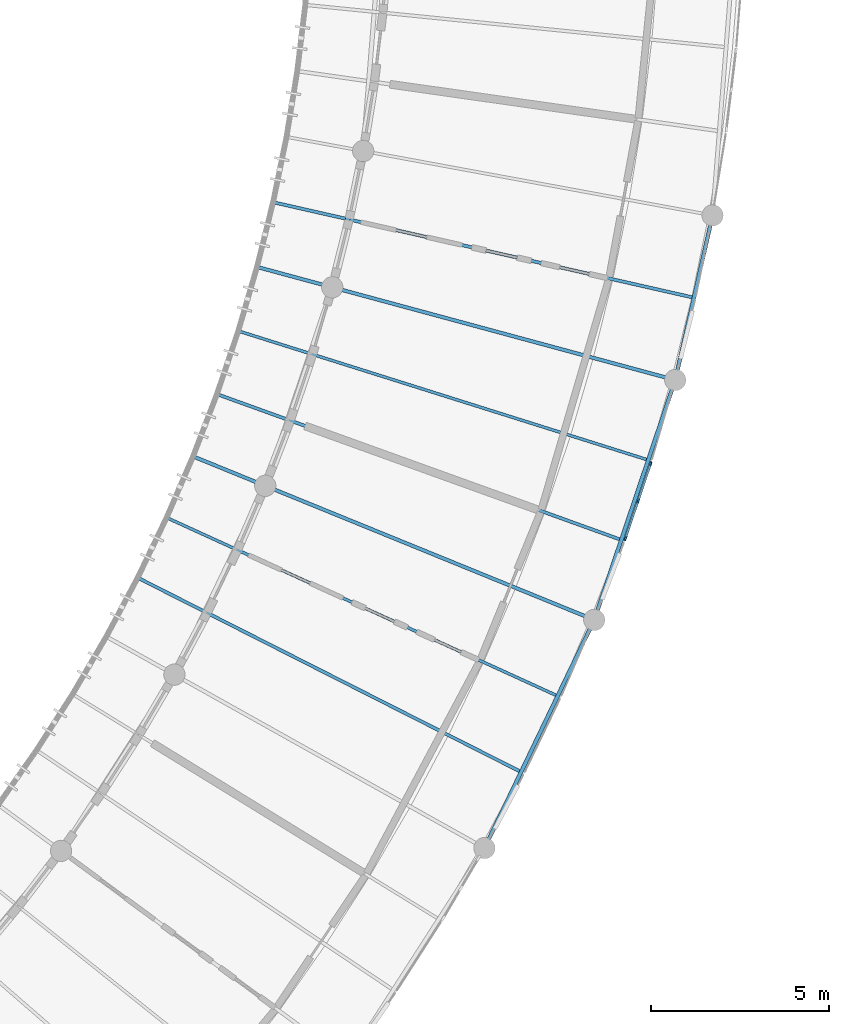
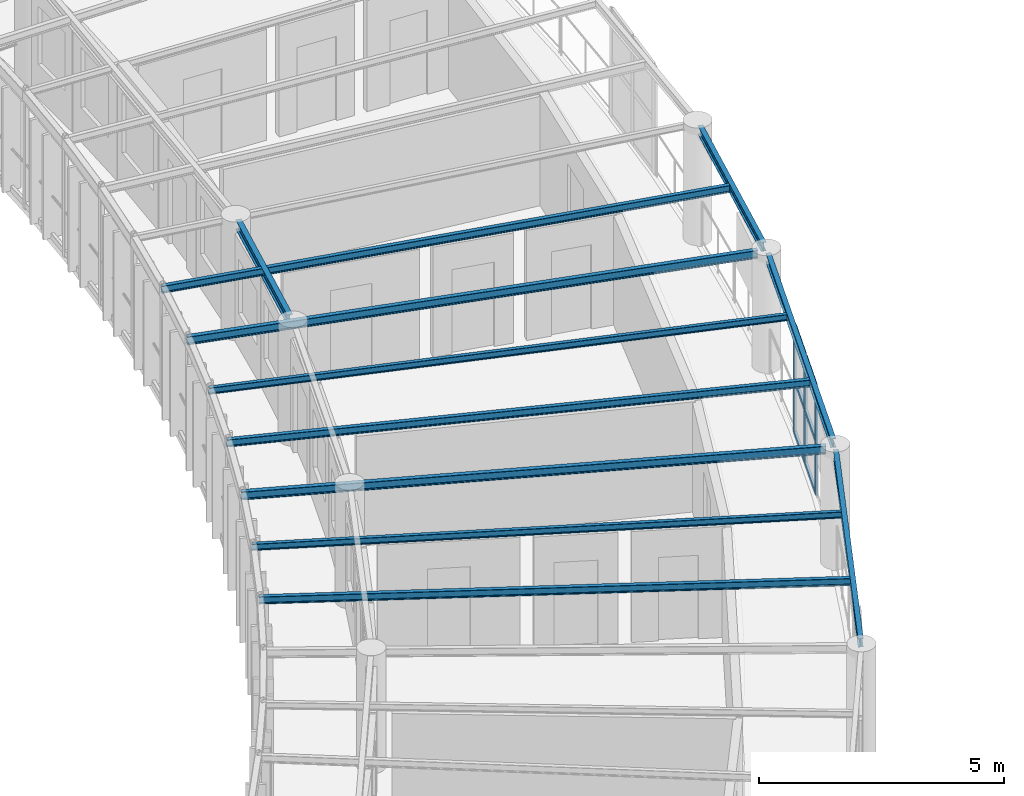
# One storey, part 16 of 100: 11 beams, 9 members, 1 element without a shape of its own.
"""IFC4 building model written with IfcOpenShell, lengths in metres."""

from ifc_helpers import new_model, si_unit, direction, frame, origin, origin_2d, place, context, subcontext, project, spatial, rectangle, i_section, extrude, material, layer, layer_set, material_profile, profile_set, type_object, element, aggregate, save


model = new_model("IFC4")

# Units and contexts
model_context = context("Model", 3, precision=1e-05, world=origin(), true_north=direction((0.0, 1.0)))
body_context = subcontext(model_context, "Body", "Model", "MODEL_VIEW")
ifc_project = project(units=[si_unit("LENGTHUNIT", "METRE"), si_unit("AREAUNIT", "SQUARE_METRE"), si_unit("VOLUMEUNIT", "CUBIC_METRE"), si_unit("PLANEANGLEUNIT", "RADIAN"), si_unit("MASSUNIT", "GRAM", prefix="KILO"), si_unit("POWERUNIT", "WATT"), si_unit("THERMODYNAMICTEMPERATUREUNIT", "KELVIN")], contexts=[model_context])

# Site, building, storey
site_placement = place(None, origin())
site = spatial("IfcSite", under=ifc_project, at=site_placement, CompositionType="ELEMENT")
building_placement = place(site_placement, origin())
building = spatial("IfcBuilding", under=site, at=building_placement, Name="Ruvembo Vaulted Housing Court", CompositionType="ELEMENT")
storey_placement = place(building_placement, frame((0.0, 0.0, 14.10009765625)))
storey = spatial("IfcBuildingStorey", under=building, at=storey_placement, Name="L04", CompositionType="ELEMENT", Elevation=14.10009765625)

# Beams
ifc_material_1 = material(Name="Steel S355J2", Category="steel")
ifc_material_profile_1 = material_profile(ifc_material_1, i_section(OverallWidth=0.08203125, OverallDepth=0.159912109375, WebThickness=0.0048828125, FlangeThickness=0.00732421875, FilletRadius=0.009033203125, at=origin_2d()), Name="IPE 160")
ifc_profile_set_1 = profile_set([ifc_material_profile_1], Name="Steel S355J2")
beam_type_1 = type_object("IfcBeamType", Name="BM-ST-IPE160", PredefinedType="JOIST", material=ifc_profile_set_1)
for number, where, z_axis, x_axis, name in (
    (1, (54.634521484375, 49.989013671875, 2.85986328125), (-0.909807680255, 0.415030101256, 0.0), (-0.415030101256, -0.909807680255, 0.0), "Scoop SC1 L04 Radial Steel Joist 8"),
    (2, (57.181640625, 56.62451171875, 2.85986328125), (-0.953840147825, 0.300314788843, 0.0), (-0.300314788843, -0.953840147825, 0.0), "Scoop SC1 L04 Radial Steel Joist 11"),
):
    element("IfcBeam", number, at=place(storey_placement, frame(where, z_axis=z_axis, x_axis=x_axis)), inside=storey, type_object=beam_type_1, Name=name, PredefinedType="JOIST", context=body_context, shape_type="SweptSolid", body=[
        extrude(i_section(OverallWidth=0.08203125, OverallDepth=0.159912109375, WebThickness=0.0048828125, FlangeThickness=0.00732421875, FilletRadius=0.009033203125, at=origin_2d()), origin(), (0.0, 0.0, 1.0), 12.092529296875),
    ])
ifc_material_profile_2 = material_profile(ifc_material_1, i_section(OverallWidth=0.091064453125, OverallDepth=0.179931640625, WebThickness=0.00537109375, FlangeThickness=0.008056640625, FilletRadius=0.009033203125, at=origin_2d()), Name="IPE 180")
ifc_profile_set_2 = profile_set([ifc_material_profile_2], Name="Steel S355J2")
beam_type_2 = type_object("IfcBeamType", Name="BM-ST-IPE180", PredefinedType="JOIST", material=ifc_profile_set_2)
for number, where, z_axis, x_axis, name in (
    (3, (53.606689453125, 47.852783203125, 2.849853515625), (-0.892032194584, 0.451971861763, 0.0), (-0.451971861763, -0.892032194584, 0.0), "Scoop SC1 L04 Radial Steel Joist 7"),
    (4, (56.423583984375, 54.37841796875, 2.849853515625), (-0.940730058754, 0.339156242102, 0.0), (-0.339156242102, -0.940730058754, 0.0), "Scoop SC1 L04 Radial Steel Joist 10"),
):
    element("IfcBeam", number, at=place(storey_placement, frame(where, z_axis=z_axis, x_axis=x_axis)), inside=storey, type_object=beam_type_2, Name=name, PredefinedType="JOIST", context=body_context, shape_type="SweptSolid", body=[
        extrude(i_section(OverallWidth=0.091064453125, OverallDepth=0.179931640625, WebThickness=0.00537109375, FlangeThickness=0.008056640625, FilletRadius=0.009033203125, at=origin_2d()), origin(), (0.0, 0.0, 1.0), 12.0927734375),
    ])
beam_1_placement = place(storey_placement, frame((58.46630859375, 61.189208984375, 2.849853515625), z_axis=(-0.975216538184, 0.221252578862, 0.0), x_axis=(-0.221252578862, -0.975216538184, 0.0)))
element("IfcBeam", 5, at=beam_1_placement, inside=storey, type_object=beam_type_2, Name="Scoop SC1 L04 Radial Steel Joist 13", PredefinedType="JOIST", context=body_context, shape_type="SweptSolid", body=[
    extrude(i_section(OverallWidth=0.091064453125, OverallDepth=0.179931640625, WebThickness=0.00537109375, FlangeThickness=0.008056640625, FilletRadius=0.009033203125, at=origin_2d()), origin(), (0.0, 0.0, 1.0), 12.14111328125),
])
ifc_material_profile_3 = material_profile(ifc_material_1, i_section(OverallWidth=0.10009765625, OverallDepth=0.199951171875, WebThickness=0.005615234375, FlangeThickness=0.008544921875, FilletRadius=0.011962890625, at=origin_2d()), Name="IPE 200")
ifc_profile_set_3 = profile_set([ifc_material_profile_3], Name="Steel S355J2")
beam_type_3 = type_object("IfcBeamType", Name="BM-ST-IPE200", PredefinedType="BEAM", material=ifc_profile_set_3)
for number, where, z_axis, x_axis, name in (
    (6, (55.53466796875, 52.181396484375, 2.83984375), (-0.926045419816, 0.377412083058, 0.0), (-0.377412083058, -0.926045419816, 0.0), "Scoop SC1 L04 Radial Steel Joist 9"),
    (7, (57.805908203125, 58.91064453125, 2.83984375), (-0.965334285753, 0.261016698219, 0.0), (-0.261016698219, -0.965334285753, 0.0), "Scoop SC1 L04 Radial Steel Joist 12"),
):
    element("IfcBeam", number, at=place(storey_placement, frame(where, z_axis=z_axis, x_axis=x_axis)), inside=storey, type_object=beam_type_3, Name=name, PredefinedType="BEAM", context=body_context, shape_type="SweptSolid", body=[
        extrude(i_section(OverallWidth=0.10009765625, OverallDepth=0.199951171875, WebThickness=0.005615234375, FlangeThickness=0.008544921875, FilletRadius=0.011962890625, at=origin_2d()), origin(), (0.0, 0.0, 1.0), 12.050048828125),
    ])
ifc_material_profile_4 = material_profile(ifc_material_1, i_section(OverallWidth=0.110107421875, OverallDepth=0.219970703125, WebThickness=0.005859375, FlangeThickness=0.00927734375, FilletRadius=0.011962890625, at=origin_2d()), Name="IPE 220")
ifc_profile_set_4 = profile_set([ifc_material_profile_4], Name="Steel S355J2")
beam_type_4 = type_object("IfcBeamType", Name="BM-ST-IPE220", PredefinedType="SPANDREL", material=ifc_profile_set_4)
for number, where, z_axis, x_axis, name in (
    (8, (52.703369140625, 45.860107421875, 2.831787109375), (0.433596873745, 0.901106958734, 0.0), (-0.901106958734, 0.433596873745, 0.0), "Scoop SC1 L04 Chord Girder B6"),
    (9, (55.771240234375, 52.289794921875, 2.831787109375), (0.319841191203, 0.94747116706, 0.0), (-0.94747116706, 0.319841191203, 0.0), "Scoop SC1 L04 Chord Girder B9"),
):
    element("IfcBeam", number, at=place(storey_placement, frame(where, z_axis=z_axis, x_axis=x_axis)), inside=storey, type_object=beam_type_4, Name=name, PredefinedType="SPANDREL", context=body_context, shape_type="SweptSolid", body=[
        extrude(i_section(OverallWidth=0.110107421875, OverallDepth=0.219970703125, WebThickness=0.005859375, FlangeThickness=0.00927734375, FilletRadius=0.011962890625, at=origin_2d()), origin(), (0.0, 0.0, 1.0), 6.745361328125),
    ])
beam_2_placement = place(storey_placement, frame((58.031494140625, 59.04638671875, 2.831787109375), z_axis=(0.221244567423, 0.975218355747, 0.0), x_axis=(-0.975218355747, 0.221244567423, 0.0)))
element("IfcBeam", 10, at=beam_2_placement, inside=storey, type_object=beam_type_4, Name="Scoop SC1 L04 Chord Girder B12", PredefinedType="SPANDREL", context=body_context, shape_type="SweptSolid", body=[
    extrude(i_section(OverallWidth=0.110107421875, OverallDepth=0.219970703125, WebThickness=0.005859375, FlangeThickness=0.00927734375, FilletRadius=0.011962890625, at=origin_2d()), origin(), (0.0, 0.0, 1.0), 4.3720703125),
])
ifc_material_profile_5 = material_profile(ifc_material_1, i_section(OverallWidth=0.1201171875, OverallDepth=0.239990234375, WebThickness=0.006103515625, FlangeThickness=0.009765625, FilletRadius=0.014892578125, at=origin_2d()), Name="IPE 240")
ifc_profile_set_5 = profile_set([ifc_material_profile_5], Name="Steel S355J2")
beam_type_5 = type_object("IfcBeamType", Name="BM-ST-IPE240", PredefinedType="BEAM", material=ifc_profile_set_5)
beam_3_placement = place(storey_placement, frame((48.3779296875, 61.656494140625, 2.822021484375), z_axis=(0.22134486741, 0.975195595597, 0.0), x_axis=(-0.975195595597, 0.22134486741, 0.0)))
element("IfcBeam", 11, at=beam_3_placement, inside=storey, type_object=beam_type_5, Name="Scoop SC1 L04 Chord Girder F12", PredefinedType="BEAM", context=body_context, shape_type="SweptSolid", body=[
    extrude(i_section(OverallWidth=0.1201171875, OverallDepth=0.239990234375, WebThickness=0.006103515625, FlangeThickness=0.009765625, FilletRadius=0.014892578125, at=origin_2d()), origin(), (0.0, 0.0, 1.0), 3.552734375),
])

# Curtain wall, members
ifc_material_2 = material(Name="Anodised Aluminium and Solar-Control Glass", Category="aluminium")
ifc_layer = layer(ifc_material_2, 0.139892578125, Name="Anodised Aluminium and Solar-Control Glass")
ifc_layer_set = layer_set([ifc_layer], Name="Anodised Aluminium and Solar-Control Glass")
curtain_wall_type = type_object("IfcCurtainWallType", Name="CW-SCOOP-PAN", PredefinedType="NOTDEFINED", material=ifc_layer_set)
curtain_wall_placement = place(storey_placement, origin())
curtain_wall = element("IfcCurtainWall", 12, at=curtain_wall_placement, inside=storey, type_object=curtain_wall_type, Name="L04 Curtain Wall CW-L04-0023", PredefinedType="NOTDEFINED")
ifc_material_3 = material(Name="Anodised Aluminium 6063-T6", Category="aluminium")
ifc_material_profile_6 = material_profile(ifc_material_3, rectangle(XDim=0.054931640625, YDim=0.1201171875, at=origin_2d()), Name="ALU 55x120")
ifc_profile_set_6 = profile_set([ifc_material_profile_6], Name="Anodised Aluminium 6063-T6")
member_type_1 = type_object("IfcMemberType", Name="CW-MUL-55x120", PredefinedType="MULLION", material=ifc_profile_set_6)
member_1_placement = place(storey_placement, frame((56.5869140625, 54.40185546875, 0.0), z_axis=(0.0, 0.0, 1.0), x_axis=(-0.947472812083, 0.31983631808, 0.0)))
member_1 = element("IfcMember", 13, at=member_1_placement, type_object=member_type_1, Name="CW10 mullion 1", PredefinedType="MULLION", context=body_context, shape_type="SweptSolid", body=[
    extrude(rectangle(XDim=0.054931640625, YDim=0.1201171875, at=origin_2d()), origin(), (0.0, 0.0, 1.0), 2.697998046875),
])
member_2_placement = place(storey_placement, frame((56.942138671875, 55.454345703125, 0.0), z_axis=(0.0, 0.0, 1.0), x_axis=(-0.947472812083, 0.31983631808, 0.0)))
member_2 = element("IfcMember", 14, at=member_2_placement, type_object=member_type_1, Name="CW10 mullion 2", PredefinedType="MULLION", context=body_context, shape_type="SweptSolid", body=[
    extrude(rectangle(XDim=0.054931640625, YDim=0.1201171875, at=origin_2d()), origin(), (0.0, 0.0, 1.0), 2.697998046875),
])
member_3_placement = place(storey_placement, frame((57.29736328125, 56.506591796875, 0.0), z_axis=(0.0, 0.0, 1.0), x_axis=(-0.947472812083, 0.31983631808, 0.0)))
member_3 = element("IfcMember", 15, at=member_3_placement, type_object=member_type_1, Name="CW10 mullion 3", PredefinedType="MULLION", context=body_context, shape_type="SweptSolid", body=[
    extrude(rectangle(XDim=0.054931640625, YDim=0.1201171875, at=origin_2d()), origin(), (0.0, 0.0, 1.0), 2.697998046875),
])
ifc_material_profile_7 = material_profile(ifc_material_3, rectangle(XDim=0.06005859375, YDim=0.10009765625, at=origin_2d()), Name="ALU 60x100")
ifc_profile_set_7 = profile_set([ifc_material_profile_7], Name="Anodised Aluminium 6063-T6")
member_type_2 = type_object("IfcMemberType", Name="CW-TRN-60x100", PredefinedType="USERDEFINED", material=ifc_profile_set_7)
member_4_placement = place(storey_placement, frame((56.595703125, 54.427978515625, 0.02978515625), z_axis=(0.319833141803, 0.947473884286, 0.0), x_axis=(-0.947473884286, 0.319833141803, 0.0)))
member_4 = element("IfcMember", 16, at=member_4_placement, type_object=member_type_2, Name="CW10 transom 1.1", ObjectType="TRANSOM", PredefinedType="USERDEFINED", context=body_context, shape_type="SweptSolid", body=[
    extrude(rectangle(XDim=0.06005859375, YDim=0.10009765625, at=origin_2d()), origin(), (0.0, 0.0, 1.0), 1.0556640625),
])
member_5_placement = place(storey_placement, frame((56.595703125, 54.427978515625, 1.348876953125), z_axis=(0.319833141803, 0.947473884286, 0.0), x_axis=(-0.947473884286, 0.319833141803, 0.0)))
member_5 = element("IfcMember", 17, at=member_5_placement, type_object=member_type_2, Name="CW10 transom 1.2", ObjectType="TRANSOM", PredefinedType="USERDEFINED", context=body_context, shape_type="SweptSolid", body=[
    extrude(rectangle(XDim=0.06005859375, YDim=0.10009765625, at=origin_2d()), origin(), (0.0, 0.0, 1.0), 1.0556640625),
])
member_6_placement = place(storey_placement, frame((56.595703125, 54.427978515625, 2.66796875), z_axis=(0.319833141803, 0.947473884286, 0.0), x_axis=(-0.947473884286, 0.319833141803, 0.0)))
member_6 = element("IfcMember", 18, at=member_6_placement, type_object=member_type_2, Name="CW10 transom 1.3", ObjectType="TRANSOM", PredefinedType="USERDEFINED", context=body_context, shape_type="SweptSolid", body=[
    extrude(rectangle(XDim=0.06005859375, YDim=0.10009765625, at=origin_2d()), origin(), (0.0, 0.0, 1.0), 1.0556640625),
])
member_7_placement = place(storey_placement, frame((56.950927734375, 55.480224609375, 0.02978515625), z_axis=(0.319833141803, 0.947473884286, 0.0), x_axis=(-0.947473884286, 0.319833141803, 0.0)))
member_7 = element("IfcMember", 19, at=member_7_placement, type_object=member_type_2, Name="CW10 transom 2.1", ObjectType="TRANSOM", PredefinedType="USERDEFINED", context=body_context, shape_type="SweptSolid", body=[
    extrude(rectangle(XDim=0.06005859375, YDim=0.10009765625, at=origin_2d()), origin(), (0.0, 0.0, 1.0), 1.0556640625),
])
member_8_placement = place(storey_placement, frame((56.950927734375, 55.480224609375, 1.348876953125), z_axis=(0.319833141803, 0.947473884286, 0.0), x_axis=(-0.947473884286, 0.319833141803, 0.0)))
member_8 = element("IfcMember", 20, at=member_8_placement, type_object=member_type_2, Name="CW10 transom 2.2", ObjectType="TRANSOM", PredefinedType="USERDEFINED", context=body_context, shape_type="SweptSolid", body=[
    extrude(rectangle(XDim=0.06005859375, YDim=0.10009765625, at=origin_2d()), origin(), (0.0, 0.0, 1.0), 1.0556640625),
])
member_9_placement = place(storey_placement, frame((56.950927734375, 55.480224609375, 2.66796875), z_axis=(0.319833141803, 0.947473884286, 0.0), x_axis=(-0.947473884286, 0.319833141803, 0.0)))
member_9 = element("IfcMember", 21, at=member_9_placement, type_object=member_type_2, Name="CW10 transom 2.3", ObjectType="TRANSOM", PredefinedType="USERDEFINED", context=body_context, shape_type="SweptSolid", body=[
    extrude(rectangle(XDim=0.06005859375, YDim=0.10009765625, at=origin_2d()), origin(), (0.0, 0.0, 1.0), 1.0556640625),
])
aggregate(curtain_wall, [member_1, member_2, member_3, member_4, member_5, member_6, member_7, member_8, member_9])

save(model, "model.ifc")
